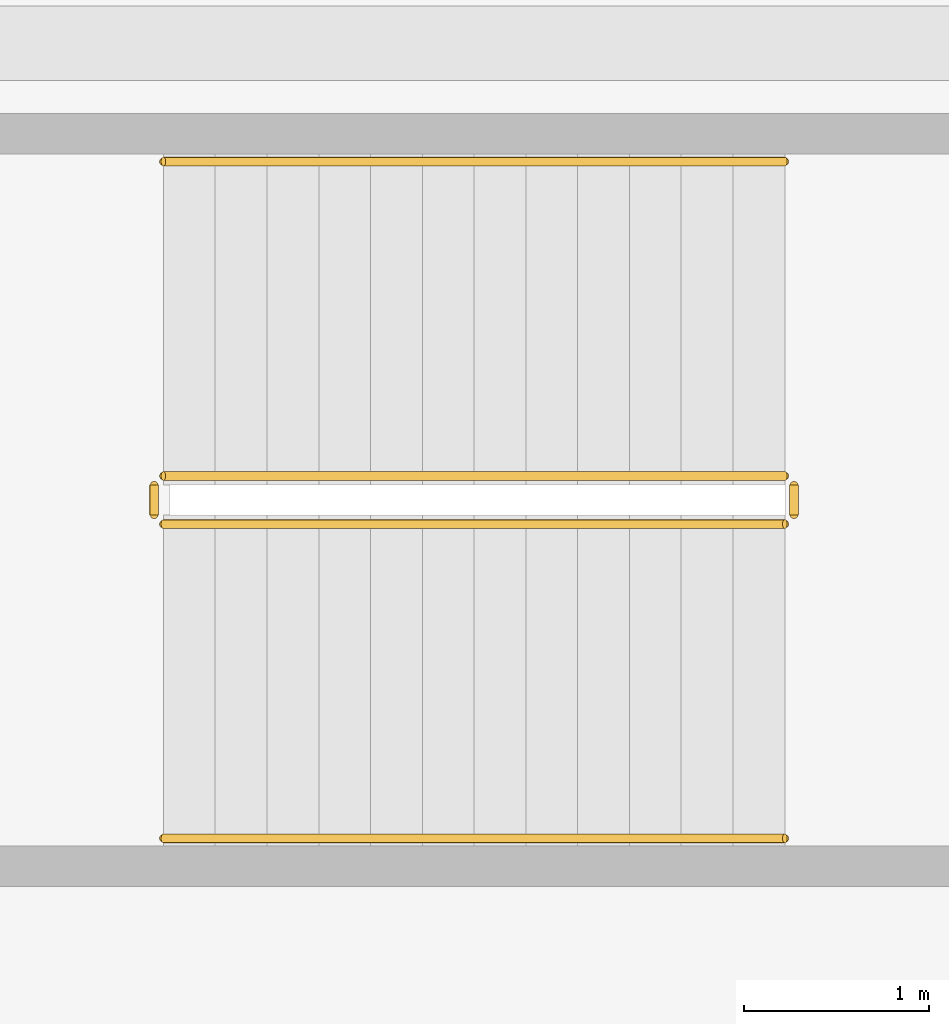
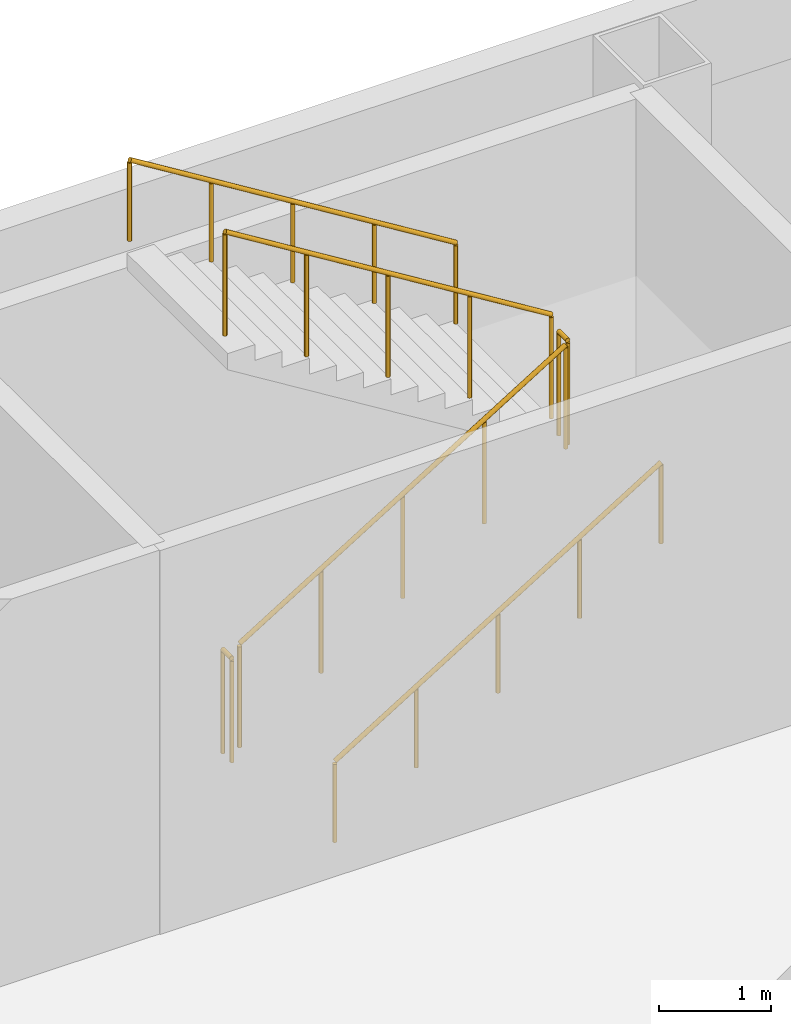
# One storey, part 29 of 31: 6 railings.
"""IFC4 building model written with IfcOpenShell, lengths in metres."""

from ifc_helpers import new_model, si_unit, direction, frame, origin, origin_2d, place, context, subcontext, project, spatial, circle, extrude, material, type_object, element, save


model = new_model("IFC4")

# Units and contexts
model_context = context("Model", 3, precision=1e-05, world=origin(), true_north=direction((0.0, 1.0)))
body_context = subcontext(model_context, "Body", "Model", "MODEL_VIEW")
ifc_project = project(units=[si_unit("LENGTHUNIT", "METRE"), si_unit("AREAUNIT", "SQUARE_METRE"), si_unit("VOLUMEUNIT", "CUBIC_METRE"), si_unit("PLANEANGLEUNIT", "RADIAN"), si_unit("MASSUNIT", "GRAM", prefix="KILO")], contexts=[model_context])

# Site, building, storey
site_placement = place(None, origin())
site = spatial("IfcSite", under=ifc_project, at=site_placement, CompositionType="ELEMENT")
building_placement = place(site_placement, origin())
building = spatial("IfcBuilding", under=site, at=building_placement, Name="Kolveth Station Tower", CompositionType="ELEMENT")
storey_placement = place(building_placement, origin())
storey = spatial("IfcBuildingStorey", under=building, at=storey_placement, Name="L00", CompositionType="ELEMENT", Elevation=0.0)

# Railings
ifc_material_1 = material(Name="Painted Steel S355 balustrade", Category="steel")
railing_type_1 = type_object("IfcRailingType", Name="Guard_GR2", PredefinedType="BALUSTRADE", material=ifc_material_1)
railing_1_placement = place(storey_placement, frame((57.75, 37.14990234375, 0.173095703125)))
element("IfcRailing", 1, at=railing_1_placement, inside=storey, type_object=railing_type_1, Name="L00 ST3 stair guard 1", PredefinedType="BALUSTRADE", context=body_context, shape_type="SweptSolid", body=[
    extrude(circle(Radius=0.02392578125, at=origin_2d()), frame((0.0, 0.0, 1.1259765625), z_axis=(0.850623216509, 0.0, 0.525775754039), x_axis=(0.0, 1.0, 0.0)), (0.0, 0.0, 1.0), 3.9501953125),
    extrude(circle(Radius=0.02099609375, at=origin_2d()), origin(), (0.0, 0.0, 1.0), 1.101806640625),
    extrude(circle(Radius=0.02099609375, at=origin_2d()), frame((0.840087890625, 0.0, 0.519287109375)), (0.0, 0.0, 1.0), 1.101806640625),
    extrude(circle(Radius=0.02099609375, at=origin_2d()), frame((1.68017578125, 0.0, 1.03857421875)), (0.0, 0.0, 1.0), 1.101806640625),
    extrude(circle(Radius=0.02099609375, at=origin_2d()), frame((2.52001953125, 0.0, 1.5576171875)), (0.0, 0.0, 1.0), 1.101806640625),
    extrude(circle(Radius=0.02099609375, at=origin_2d()), frame((3.360107421875, 0.0, 2.076904296875)), (0.0, 0.0, 1.0), 1.101806640625),
])
railing_2_placement = place(storey_placement, frame((61.159912109375, 37.199951171875, 2.25)))
element("IfcRailing", 2, at=railing_2_placement, inside=storey, type_object=railing_type_1, Name="L00 ST3 stair guard 2", PredefinedType="BALUSTRADE", context=body_context, shape_type="SweptSolid", body=[
    extrude(circle(Radius=0.02392578125, at=origin_2d()), frame((0.0, 0.0, 1.1259765625), z_axis=(0.0, 1.0, 0.0), x_axis=(-1.0, 0.0, 0.0)), (0.0, 0.0, 1.0), 0.16015625),
    extrude(circle(Radius=0.02099609375, at=origin_2d()), origin(), (0.0, 0.0, 1.0), 1.101806640625),
    extrude(circle(Radius=0.02099609375, at=origin_2d()), frame((0.0, 0.16015625, 0.0)), (0.0, 0.0, 1.0), 1.101806640625),
])
railing_3_placement = place(storey_placement, frame((61.110107421875, 37.409912109375, 2.423095703125)))
element("IfcRailing", 3, at=railing_3_placement, inside=storey, type_object=railing_type_1, Name="L00 ST3 stair guard 3", PredefinedType="BALUSTRADE", context=body_context, shape_type="SweptSolid", body=[
    extrude(circle(Radius=0.02392578125, at=origin_2d()), frame((0.0, 0.0, 1.1259765625), z_axis=(-0.850623216509, 0.0, 0.525775754039), x_axis=(0.0, -1.0, 0.0)), (0.0, 0.0, 1.0), 3.9501953125),
    extrude(circle(Radius=0.02099609375, at=origin_2d()), origin(), (0.0, 0.0, 1.0), 1.101806640625),
    extrude(circle(Radius=0.02099609375, at=origin_2d()), frame((-0.840087890625, 0.0, 0.519287109375)), (0.0, 0.0, 1.0), 1.101806640625),
    extrude(circle(Radius=0.02099609375, at=origin_2d()), frame((-1.68017578125, 0.0, 1.03857421875)), (0.0, 0.0, 1.0), 1.101806640625),
    extrude(circle(Radius=0.02099609375, at=origin_2d()), frame((-2.52001953125, 0.0, 1.5576171875)), (0.0, 0.0, 1.0), 1.101806640625),
    extrude(circle(Radius=0.02099609375, at=origin_2d()), frame((-3.360107421875, 0.0, 2.076904296875)), (0.0, 0.0, 1.0), 1.101806640625),
])
railing_4_placement = place(storey_placement, frame((57.699951171875, 37.199951171875, 0.0)))
element("IfcRailing", 4, at=railing_4_placement, inside=storey, type_object=railing_type_1, Name="L00 ST3 stair guard 4", PredefinedType="BALUSTRADE", context=body_context, shape_type="SweptSolid", body=[
    extrude(circle(Radius=0.02392578125, at=origin_2d()), frame((0.0, 0.0, 1.1259765625), z_axis=(0.0, 1.0, 0.0), x_axis=(-1.0, 0.0, 0.0)), (0.0, 0.0, 1.0), 0.16015625),
    extrude(circle(Radius=0.02099609375, at=origin_2d()), origin(), (0.0, 0.0, 1.0), 1.101806640625),
    extrude(circle(Radius=0.02099609375, at=origin_2d()), frame((0.0, 0.16015625, 0.0)), (0.0, 0.0, 1.0), 1.101806640625),
])
ifc_material_2 = material(Name="Brushed stainless steel", Category="steel")
railing_type_2 = type_object("IfcRailingType", Name="Handrail_HR1", PredefinedType="HANDRAIL", material=ifc_material_2)
railing_5_placement = place(storey_placement, frame((57.75, 35.449951171875, 0.173095703125)))
element("IfcRailing", 5, at=railing_5_placement, inside=storey, type_object=railing_type_2, Name="L00 ST3 stair handrail 1", PredefinedType="HANDRAIL", context=body_context, shape_type="SweptSolid", body=[
    extrude(circle(Radius=0.02392578125, at=origin_2d()), frame((0.0, 0.0, 0.8759765625), z_axis=(0.850623216509, 0.0, 0.525775754039), x_axis=(0.0, 1.0, 0.0)), (0.0, 0.0, 1.0), 3.9501953125),
    extrude(circle(Radius=0.02099609375, at=origin_2d()), origin(), (0.0, 0.0, 1.0), 0.851806640625),
    extrude(circle(Radius=0.02099609375, at=origin_2d()), frame((0.840087890625, 0.0, 0.519287109375)), (0.0, 0.0, 1.0), 0.851806640625),
    extrude(circle(Radius=0.02099609375, at=origin_2d()), frame((1.68017578125, 0.0, 1.03857421875)), (0.0, 0.0, 1.0), 0.851806640625),
    extrude(circle(Radius=0.02099609375, at=origin_2d()), frame((2.52001953125, 0.0, 1.5576171875)), (0.0, 0.0, 1.0), 0.851806640625),
    extrude(circle(Radius=0.02099609375, at=origin_2d()), frame((3.360107421875, 0.0, 2.076904296875)), (0.0, 0.0, 1.0), 0.851806640625),
])
railing_6_placement = place(storey_placement, frame((61.110107421875, 39.110107421875, 2.423095703125)))
element("IfcRailing", 6, at=railing_6_placement, inside=storey, type_object=railing_type_2, Name="L00 ST3 stair handrail 2", PredefinedType="HANDRAIL", context=body_context, shape_type="SweptSolid", body=[
    extrude(circle(Radius=0.02392578125, at=origin_2d()), frame((0.0, 0.0, 0.8759765625), z_axis=(-0.850623216509, 0.0, 0.525775754039), x_axis=(0.0, -1.0, 0.0)), (0.0, 0.0, 1.0), 3.9501953125),
    extrude(circle(Radius=0.02099609375, at=origin_2d()), origin(), (0.0, 0.0, 1.0), 0.851806640625),
    extrude(circle(Radius=0.02099609375, at=origin_2d()), frame((-0.840087890625, 0.0, 0.519287109375)), (0.0, 0.0, 1.0), 0.851806640625),
    extrude(circle(Radius=0.02099609375, at=origin_2d()), frame((-1.68017578125, 0.0, 1.03857421875)), (0.0, 0.0, 1.0), 0.851806640625),
    extrude(circle(Radius=0.02099609375, at=origin_2d()), frame((-2.52001953125, 0.0, 1.5576171875)), (0.0, 0.0, 1.0), 0.851806640625),
    extrude(circle(Radius=0.02099609375, at=origin_2d()), frame((-3.360107421875, 0.0, 2.076904296875)), (0.0, 0.0, 1.0), 0.851806640625),
])

save(model, "model.ifc")
